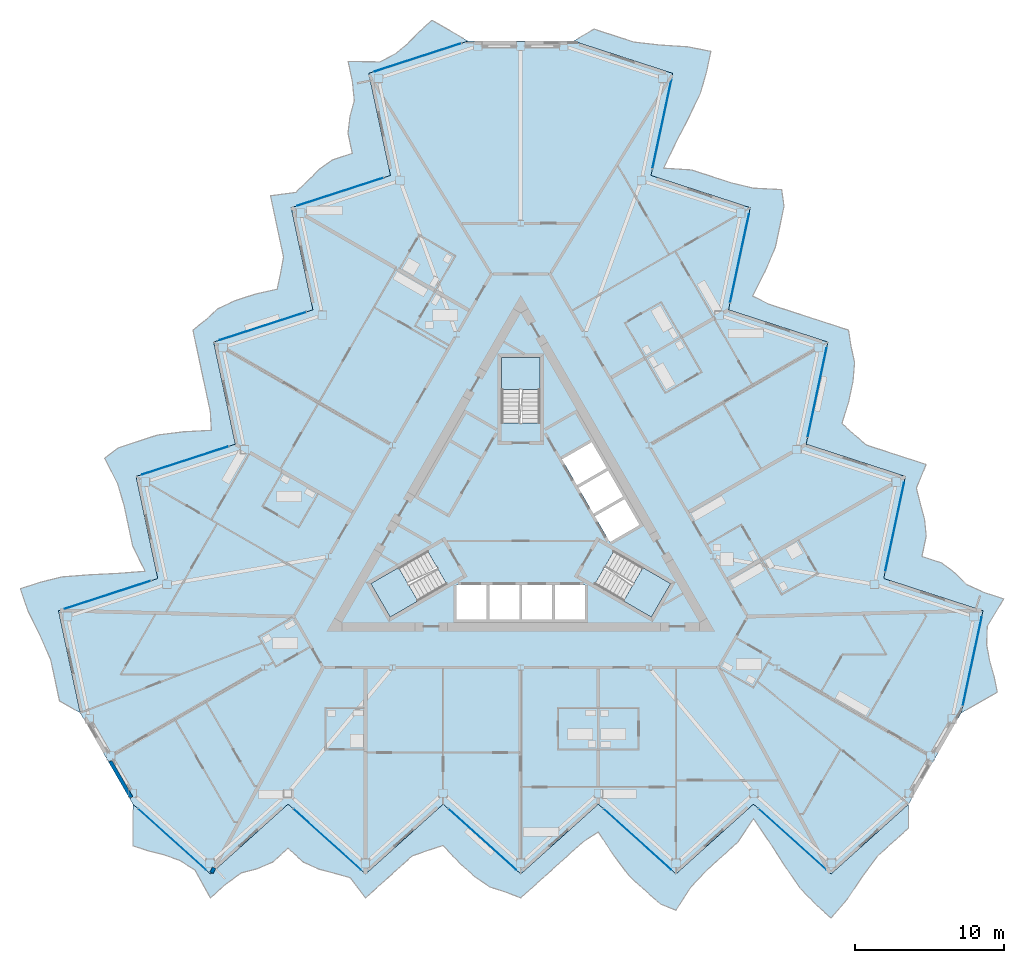
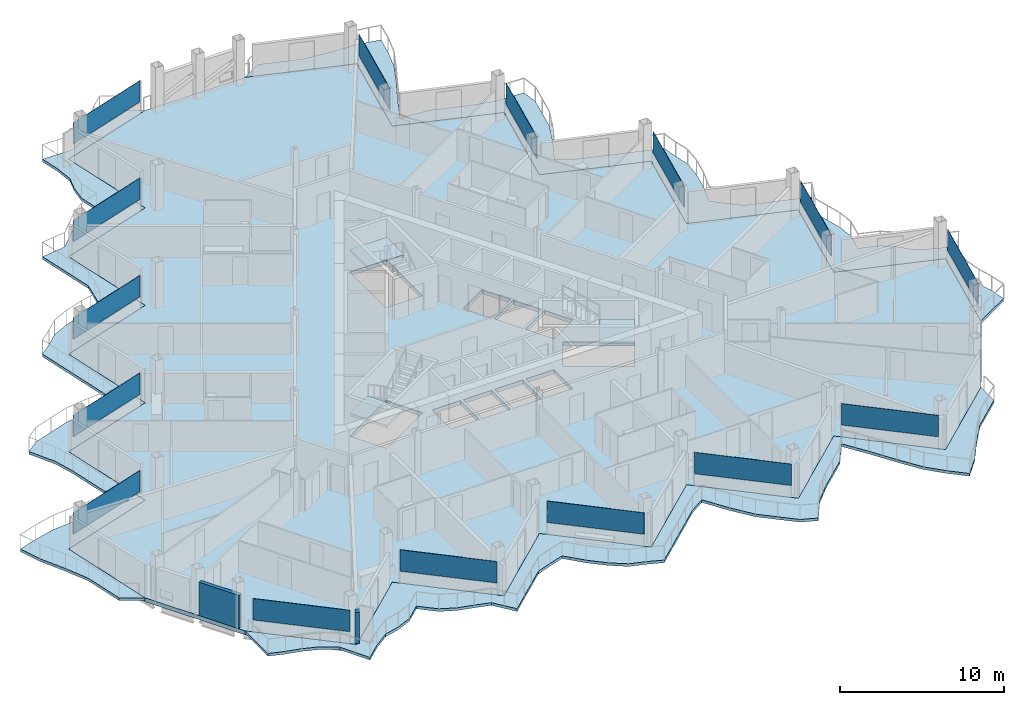
# One storey, part 12 of 28: 15 plates, 7 slabs, 2 walls, 18 elements without a shape of their own.
"""IFC4 building model written with IfcOpenShell, lengths in metres."""

from ifc_helpers import new_model, si_unit, direction, frame, frame_2d, origin, origin_2d, place, context, subcontext, project, spatial, polyline, rectangle, outline, extrude, material, layer, layer_set, type_object, element, aggregate, save


model = new_model("IFC4")

# Units and contexts
model_context = context("Model", 3, precision=1e-05, world=origin(), true_north=direction((0.0, 1.0)))
body_context = subcontext(model_context, "Body", "Model", "MODEL_VIEW")
ifc_project = project(units=[si_unit("LENGTHUNIT", "METRE"), si_unit("AREAUNIT", "SQUARE_METRE"), si_unit("VOLUMEUNIT", "CUBIC_METRE"), si_unit("PLANEANGLEUNIT", "RADIAN"), si_unit("MASSUNIT", "GRAM", prefix="KILO")], contexts=[model_context])

# Site, building, storey
site_placement = place(None, origin())
site = spatial("IfcSite", under=ifc_project, at=site_placement, CompositionType="ELEMENT")
building_placement = place(site_placement, origin())
building = spatial("IfcBuilding", under=site, at=building_placement, Name="Cormorant Prow Tower", CompositionType="ELEMENT")
storey_placement = place(building_placement, frame((0.0, 0.0, 308.60009765625)))
storey = spatial("IfcBuildingStorey", under=building, at=storey_placement, Name="L67", CompositionType="ELEMENT", Elevation=308.60009765625)

# Slabs
ifc_material_1 = material(Name="Concrete C40/50", Category="concrete")
ifc_layer_1 = layer(ifc_material_1, 0.199951171875)
ifc_layer_set_1 = layer_set([ifc_layer_1], Name="Concrete C40/50")
slab_type_1 = type_object("IfcSlabType", Name="Balcony slab 200", PredefinedType="FLOOR", material=ifc_layer_set_1)
slab_1_placement = place(storey_placement, frame((0.0, 0.0, -0.2001953125)))
element("IfcSlab", 1, at=slab_1_placement, inside=storey, type_object=slab_type_1, Name="Balcony slab S L67", PredefinedType="FLOOR", context=body_context, shape_type="SweptSolid", body=[
    extrude(outline(polyline([(-25.95458984375, -19.054931640625), (-25.95458984375, -21.8388671875), (-24.91650390625, -22.182861328125), (-23.87841796875, -22.441162109375), (-22.840087890625, -22.811767578125), (-21.802001953125, -23.46044921875), (-20.763671875, -25.328857421875), (-19.7255859375, -24.39404296875), (-18.6875, -23.651123046875), (-17.649169921875, -23.381591796875), (-16.611083984375, -22.939697265625), (-15.57275390625, -22.0048828125), (-14.53466796875, -22.939697265625), (-13.496337890625, -23.40771484375), (-12.458251953125, -23.68017578125), (-11.420166015625, -23.97607421875), (-10.3818359375, -25.328857421875), (-9.34375, -24.39404296875), (-8.305419921875, -23.459228515625), (-7.267333984375, -22.5244140625), (-6.229248046875, -22.154541015625), (-5.19091796875, -21.81787109375), (-4.15283203125, -22.939697265625), (-3.114501953125, -23.87451171875), (-2.076416015625, -24.596435546875), (-1.0380859375, -24.92431640625), (0.0, -25.328857421875), (1.0380859375, -24.39404296875), (2.076416015625, -23.459228515625), (3.114501953125, -22.5244140625), (4.15283203125, -21.58984375), (5.19091796875, -20.9111328125), (6.229248046875, -22.503662109375), (7.267333984375, -23.87451171875), (8.305419921875, -24.809326171875), (9.34375, -25.73388671875), (10.3818359375, -26.154052734375), (11.420166015625, -24.55078125), (12.458251953125, -23.459228515625), (13.496337890625, -22.5244140625), (14.53466796875, -21.58984375), (15.57275390625, -20.03076171875), (16.611083984375, -21.5400390625), (17.649169921875, -23.15185546875), (18.6875, -24.667724609375), (19.7255859375, -25.744140625), (20.763671875, -26.678955078125), (21.802001953125, -25.482177734375), (22.840087890625, -23.92578125), (23.87841796875, -22.5244140625), (24.91650390625, -21.58984375), (25.95458984375, -20.655029296875), (25.95458984375, -19.054931640625), (24.91650390625, -19.98974609375), (23.87841796875, -20.924560546875), (22.840087890625, -21.859375), (21.802001953125, -22.794189453125), (20.763671875, -23.72900390625), (19.7255859375, -22.794189453125), (18.6875, -21.859375), (17.649169921875, -20.924560546875), (16.611083984375, -19.98974609375), (15.57275390625, -19.054931640625), (14.53466796875, -19.98974609375), (13.496337890625, -20.924560546875), (12.458251953125, -21.859375), (11.420166015625, -22.794189453125), (10.3818359375, -23.72900390625), (9.34375, -22.794189453125), (8.305419921875, -21.859375), (7.267333984375, -20.924560546875), (6.229248046875, -19.98974609375), (5.19091796875, -19.054931640625), (4.15283203125, -19.98974609375), (3.114501953125, -20.924560546875), (2.076416015625, -21.859375), (1.0380859375, -22.794189453125), (0.0, -23.72900390625), (-1.0380859375, -22.794189453125), (-2.076416015625, -21.859375), (-3.114501953125, -20.924560546875), (-4.15283203125, -19.98974609375), (-5.19091796875, -19.054931640625), (-6.229248046875, -19.98974609375), (-7.267333984375, -20.924560546875), (-8.305419921875, -21.859375), (-9.34375, -22.794189453125), (-10.3818359375, -23.72900390625), (-11.420166015625, -22.794189453125), (-12.458251953125, -21.859375), (-13.496337890625, -20.924560546875), (-14.53466796875, -19.98974609375), (-15.57275390625, -19.054931640625), (-16.611083984375, -19.98974609375), (-17.649169921875, -20.924560546875), (-18.6875, -21.859375), (-19.7255859375, -22.794189453125), (-20.763671875, -23.72900390625), (-21.802001953125, -22.794189453125), (-22.840087890625, -21.859375), (-23.87841796875, -20.924560546875), (-24.91650390625, -19.98974609375), (-25.95458984375, -19.054931640625)])), origin(), (0.0, 0.0, 1.0), 0.2001953125),
])
slab_2_placement = place(storey_placement, frame((0.0, 0.0, -0.2001953125)))
element("IfcSlab", 2, at=slab_2_placement, inside=storey, type_object=slab_type_1, Name="Balcony slab ENE L67", PredefinedType="FLOOR", context=body_context, shape_type="SweptSolid", body=[
    extrude(outline(polyline([(29.4794921875, -12.949951171875), (31.890380859375, -11.55810546875), (31.669189453125, -10.48681640625), (31.373779296875, -9.458740234375), (31.175537109375, -8.374267578125), (31.21826171875, -7.15087890625), (32.3173828125, -5.3173828125), (30.98876953125, -4.8857421875), (29.826171875, -4.358154296875), (29.07373046875, -3.59375), (28.171875, -2.915771484375), (26.84326171875, -2.48388671875), (27.1337890625, -1.117431640625), (27.019775390625, 0.015625), (26.73681640625, 1.051025390625), (26.473876953125, 2.097900390625), (27.12646484375, 3.673583984375), (25.7978515625, 4.105224609375), (24.46923828125, 4.536865234375), (23.140380859375, 4.968505859375), (22.30078125, 5.6826171875), (21.490234375, 6.41357421875), (21.94287109375, 7.87353515625), (22.233154296875, 9.239990234375), (22.33935546875, 10.5), (22.10400390625, 11.56298828125), (21.935546875, 12.66455078125), (20.60693359375, 13.09619140625), (19.278076171875, 13.52783203125), (17.949462890625, 13.95947265625), (16.620849609375, 14.391357421875), (15.51416015625, 14.950927734375), (16.374267578125, 16.646484375), (17.042236328125, 18.23095703125), (17.332763671875, 19.597412109375), (17.6142578125, 20.958740234375), (17.459228515625, 22.068115234375), (15.551513671875, 22.16552734375), (14.087158203125, 22.518798828125), (12.758544921875, 22.950439453125), (11.429931640625, 23.38232421875), (9.560546875, 23.501708984375), (10.3486328125, 25.155517578125), (11.2255859375, 26.860595703125), (12.019287109375, 28.517578125), (12.432373046875, 29.954833984375), (12.72265625, 31.3212890625), (11.167236328125, 31.6220703125), (9.30029296875, 31.742919921875), (7.567626953125, 31.94140625), (6.239013671875, 32.373291015625), (4.910400390625, 32.804931640625), (3.524658203125, 32.0048828125), (4.853271484375, 31.5732421875), (6.18212890625, 31.1416015625), (7.5107421875, 30.709716796875), (8.83935546875, 30.278076171875), (10.16796875, 29.846435546875), (9.87744140625, 28.47998046875), (9.5869140625, 27.113525390625), (9.296630859375, 25.746826171875), (9.006103515625, 24.38037109375), (8.715576171875, 23.013916015625), (10.044189453125, 22.582275390625), (11.373046875, 22.150634765625), (12.70166015625, 21.71875), (14.0302734375, 21.287109375), (15.35888671875, 20.85546875), (15.068359375, 19.489013671875), (14.778076171875, 18.12255859375), (14.487548828125, 16.755859375), (14.197021484375, 15.389404296875), (13.906494140625, 14.02294921875), (15.2353515625, 13.59130859375), (16.56396484375, 13.15966796875), (17.892578125, 12.727783203125), (19.22119140625, 12.296142578125), (20.5498046875, 11.864501953125), (20.25927734375, 10.498046875), (19.968994140625, 9.13134765625), (19.678466796875, 7.764892578125), (19.387939453125, 6.3984375), (19.09765625, 5.031982421875), (20.42626953125, 4.600341796875), (21.7548828125, 4.168701171875), (23.08349609375, 3.73681640625), (24.412109375, 3.30517578125), (25.74072265625, 2.87353515625), (25.4501953125, 1.507080078125), (25.159912109375, 0.140380859375), (24.869384765625, -1.22607421875), (24.578857421875, -2.592529296875), (24.28857421875, -3.958984375), (25.6171875, -4.390625), (26.94580078125, -4.822509765625), (28.2744140625, -5.254150390625), (29.60302734375, -5.685791015625), (30.931640625, -6.117431640625), (30.641357421875, -7.48388671875), (30.350830078125, -8.8505859375), (30.060302734375, -10.217041015625), (29.769775390625, -11.58349609375), (29.4794921875, -12.949951171875)])), origin(), (0.0, 0.0, 1.0), 0.2001953125),
])
slab_3_placement = place(storey_placement, frame((0.0, 0.0, -0.2001953125)))
element("IfcSlab", 3, at=slab_3_placement, inside=storey, type_object=slab_type_1, Name="Balcony slab WNW L67", PredefinedType="FLOOR", context=body_context, shape_type="SweptSolid", body=[
    extrude(outline(polyline([(-3.524658203125, 32.0048828125), (-5.935546875, 33.39697265625), (-6.752685546875, 32.669921875), (-7.495361328125, 31.899658203125), (-8.33544921875, 31.18603515625), (-9.416259765625, 30.611328125), (-11.553466796875, 30.646484375), (-11.26318359375, 29.27978515625), (-11.138671875, 28.00927734375), (-11.42431640625, 26.975341796875), (-11.560791015625, 25.85546875), (-11.2705078125, 24.489013671875), (-12.59912109375, 24.05712890625), (-13.5234375, 23.39208984375), (-14.278564453125, 22.62939453125), (-15.0537109375, 21.878173828125), (-16.74462890625, 21.655517578125), (-16.4541015625, 20.288818359375), (-16.16357421875, 18.92236328125), (-15.873046875, 17.555908203125), (-16.07177734375, 16.471923828125), (-16.29931640625, 15.404541015625), (-17.7900390625, 15.066162109375), (-19.11865234375, 14.634521484375), (-20.262939453125, 14.096435546875), (-21.06591796875, 13.361328125), (-21.935546875, 12.66455078125), (-21.64501953125, 11.2978515625), (-21.3544921875, 9.931396484375), (-21.064208984375, 8.56494140625), (-20.773681640625, 7.198486328125), (-20.705078125, 5.9599609375), (-22.603515625, 5.857421875), (-24.3095703125, 5.6435546875), (-25.63818359375, 5.2119140625), (-26.9580078125, 4.775146484375), (-27.841064453125, 4.086181640625), (-26.9716796875, 2.38525390625), (-26.54541015625, 0.9404296875), (-26.255126953125, -0.426025390625), (-25.964599609375, -1.79248046875), (-25.133544921875, -3.47119140625), (-26.959716796875, -3.615478515625), (-28.874755859375, -3.708740234375), (-30.70654296875, -3.849853515625), (-32.157958984375, -4.210693359375), (-33.486572265625, -4.642578125), (-32.96923828125, -6.139892578125), (-32.140380859375, -7.8173828125), (-31.446044921875, -9.4169921875), (-31.155517578125, -10.783447265625), (-30.864990234375, -12.14990234375), (-29.4794921875, -12.949951171875), (-29.769775390625, -11.58349609375), (-30.060302734375, -10.217041015625), (-30.350830078125, -8.8505859375), (-30.641357421875, -7.48388671875), (-30.931640625, -6.117431640625), (-29.60302734375, -5.685791015625), (-28.2744140625, -5.254150390625), (-26.94580078125, -4.822509765625), (-25.6171875, -4.390625), (-24.28857421875, -3.958984375), (-24.578857421875, -2.592529296875), (-24.869384765625, -1.22607421875), (-25.159912109375, 0.140380859375), (-25.4501953125, 1.507080078125), (-25.74072265625, 2.87353515625), (-24.412109375, 3.30517578125), (-23.08349609375, 3.73681640625), (-21.7548828125, 4.168701171875), (-20.42626953125, 4.600341796875), (-19.09765625, 5.031982421875), (-19.387939453125, 6.3984375), (-19.678466796875, 7.764892578125), (-19.968994140625, 9.13134765625), (-20.25927734375, 10.498046875), (-20.5498046875, 11.864501953125), (-19.22119140625, 12.296142578125), (-17.892578125, 12.727783203125), (-16.56396484375, 13.15966796875), (-15.2353515625, 13.59130859375), (-13.906494140625, 14.02294921875), (-14.197021484375, 15.389404296875), (-14.487548828125, 16.755859375), (-14.778076171875, 18.12255859375), (-15.068359375, 19.489013671875), (-15.35888671875, 20.85546875), (-14.0302734375, 21.287109375), (-12.70166015625, 21.71875), (-11.373046875, 22.150634765625), (-10.044189453125, 22.582275390625), (-8.715576171875, 23.013916015625), (-9.006103515625, 24.38037109375), (-9.296630859375, 25.746826171875), (-9.5869140625, 27.113525390625), (-9.87744140625, 28.47998046875), (-10.16796875, 29.846435546875), (-8.83935546875, 30.278076171875), (-7.5107421875, 30.709716796875), (-6.18212890625, 31.1416015625), (-4.853271484375, 31.5732421875), (-3.524658203125, 32.0048828125)])), origin(), (0.0, 0.0, 1.0), 0.2001953125),
])
ifc_material_2 = material(Name="Concrete C40/50", Category="concrete")
ifc_layer_2 = layer(ifc_material_2, 0.300048828125)
ifc_layer_set_2 = layer_set([ifc_layer_2], Name="Concrete C40/50")
slab_type_2 = type_object("IfcSlabType", Name="Post-tensioned flat slab 300", PredefinedType="FLOOR", material=ifc_layer_set_2)
slab_4_placement = place(storey_placement, frame((0.0, 0.0, -0.300048828125)))
element("IfcSlab", 4, at=slab_4_placement, inside=storey, type_object=slab_type_2, Name="Floor slab L67", PredefinedType="FLOOR", context=body_context, shape_type="SweptSolid", body=[
    extrude(outline(polyline([(-8.715576171875, 23.013916015625), (-15.35888671875, 20.85546875), (-13.906494140625, 14.02294921875), (-20.5498046875, 11.864501953125), (-19.09765625, 5.031982421875), (-25.74072265625, 2.87353515625), (-24.28857421875, -3.958984375), (-30.931640625, -6.117431640625), (-29.4794921875, -12.949951171875), (-27.717041015625, -16.00244140625), (-25.95458984375, -19.054931640625), (-20.763671875, -23.72900390625), (-15.57275390625, -19.054931640625), (-10.3818359375, -23.72900390625), (-5.19091796875, -19.054931640625), (0.0, -23.72900390625), (5.19091796875, -19.054931640625), (10.3818359375, -23.72900390625), (15.57275390625, -19.054931640625), (20.763671875, -23.72900390625), (25.95458984375, -19.054931640625), (27.717041015625, -16.00244140625), (29.4794921875, -12.949951171875), (30.931640625, -6.117431640625), (24.28857421875, -3.958984375), (25.74072265625, 2.87353515625), (19.09765625, 5.031982421875), (20.5498046875, 11.864501953125), (13.906494140625, 14.02294921875), (15.35888671875, 20.85546875), (8.715576171875, 23.013916015625), (10.16796875, 29.846435546875), (3.524658203125, 32.0048828125), (0.0, 32.0048828125), (-3.524658203125, 32.0048828125), (-10.16796875, 29.846435546875), (-8.715576171875, 23.013916015625)]), holes=[polyline([(-4.300048828125, -4.39990234375), (-2.300048828125, -4.39990234375), (-2.300048828125, -6.699951171875), (-4.300048828125, -6.699951171875), (-4.300048828125, -4.39990234375)]), polyline([(-0.10009765625, -4.39990234375), (-0.10009765625, -6.699951171875), (-2.10009765625, -6.699951171875), (-2.10009765625, -4.39990234375), (-0.10009765625, -4.39990234375)]), polyline([(2.10009765625, -6.699951171875), (0.10009765625, -6.699951171875), (0.10009765625, -4.39990234375), (2.10009765625, -4.39990234375), (2.10009765625, -6.699951171875)]), polyline([(2.300048828125, -6.699951171875), (2.300048828125, -4.39990234375), (4.300048828125, -4.39990234375), (4.300048828125, -6.699951171875), (2.300048828125, -6.699951171875)]), polyline([(5.96044921875, -1.52392578125), (4.96044921875, 0.2080078125), (6.952392578125, 1.358154296875), (7.952392578125, -0.373779296875), (5.96044921875, -1.52392578125)]), polyline([(3.860595703125, 2.11328125), (5.852294921875, 3.263427734375), (6.852294921875, 1.53125), (4.860595703125, 0.38134765625), (3.860595703125, 2.11328125)]), polyline([(4.75244140625, 5.168701171875), (5.75244140625, 3.4365234375), (3.760498046875, 2.28662109375), (2.760498046875, 4.018798828125), (4.75244140625, 5.168701171875)]), polyline([(-4.947509765625, -4.3505859375), (-8.738037109375, -6.5390625), (-10.031982421875, -4.2978515625), (-6.241455078125, -2.109375), (-4.947509765625, -4.3505859375)]), polyline([(10.031982421875, -4.2978515625), (8.738037109375, -6.5390625), (4.947509765625, -4.3505859375), (6.241455078125, -2.109375), (10.031982421875, -4.2978515625)]), polyline([(1.2939453125, 10.8369140625), (1.2939453125, 6.459716796875), (-1.2939453125, 6.459716796875), (-1.2939453125, 10.8369140625), (1.2939453125, 10.8369140625)])]), origin(), (0.0, 0.0, 1.0), 0.300048828125),
])

# Curtain wall, plate
ifc_material_3 = material(Name="Aluminium 6063-T6", Category="aluminium")
ifc_layer_3 = layer(ifc_material_3, 0.159912109375)
ifc_layer_set_3 = layer_set([ifc_layer_3], Name="Aluminium 6063-T6")
curtain_wall_type = type_object("IfcCurtainWallType", Name="Residential unitised curtain wall 160", PredefinedType="NOTDEFINED", material=ifc_layer_set_3)
curtain_wall_1_placement = place(storey_placement, origin())
curtain_wall_1 = element("IfcCurtainWall", 5, at=curtain_wall_1_placement, inside=storey, type_object=curtain_wall_type, Name="Residential curtain wall S00", PredefinedType="NOTDEFINED")
ifc_material_4 = material(Name="Clear glass", Category="glass")
ifc_layer_4 = layer(ifc_material_4, 0.02392578125)
ifc_layer_set_4 = layer_set([ifc_layer_4], Name="Clear glass")
plate_type = type_object("IfcPlateType", Name="Residential glass panel 24", PredefinedType="CURTAIN_PANEL", material=ifc_layer_set_4)
plate_1_placement = place(storey_placement, frame((-23.340576171875, -21.40869140625, 0.89990234375), z_axis=(0.0, 0.0, 1.0), x_axis=(0.743144844712, -0.669130584997, 0.0)))
plate_1 = element("IfcPlate", 6, at=plate_1_placement, type_object=plate_type, Name="Residential glass panel S00", PredefinedType="CURTAIN_PANEL", context=body_context, shape_type="SweptSolid", body=[
    extrude(rectangle(XDim=6.067138671875, YDim=0.02392578125, at=origin_2d()), origin(), (0.0, 0.0, 1.0), 1.587890625),
])
aggregate(curtain_wall_1, [plate_1])

curtain_wall_2_placement = place(storey_placement, origin())
curtain_wall_2 = element("IfcCurtainWall", 7, at=curtain_wall_2_placement, inside=storey, type_object=curtain_wall_type, Name="Residential curtain wall S02", PredefinedType="NOTDEFINED")
plate_2_placement = place(storey_placement, frame((-12.958740234375, -21.40869140625, 0.89990234375), z_axis=(0.0, 0.0, 1.0), x_axis=(0.743144844712, -0.669130584997, 0.0)))
plate_2 = element("IfcPlate", 8, at=plate_2_placement, type_object=plate_type, Name="Residential glass panel S02", PredefinedType="CURTAIN_PANEL", context=body_context, shape_type="SweptSolid", body=[
    extrude(rectangle(XDim=6.067138671875, YDim=0.02392578125, at=origin_2d()), origin(), (0.0, 0.0, 1.0), 1.587890625),
])
aggregate(curtain_wall_2, [plate_2])

curtain_wall_3_placement = place(storey_placement, origin())
curtain_wall_3 = element("IfcCurtainWall", 9, at=curtain_wall_3_placement, inside=storey, type_object=curtain_wall_type, Name="Residential curtain wall S04", PredefinedType="NOTDEFINED")
plate_3_placement = place(storey_placement, frame((-2.576904296875, -21.40869140625, 0.89990234375), z_axis=(0.0, 0.0, 1.0), x_axis=(0.743144844712, -0.669130584997, 0.0)))
plate_3 = element("IfcPlate", 10, at=plate_3_placement, type_object=plate_type, Name="Residential glass panel S04", PredefinedType="CURTAIN_PANEL", context=body_context, shape_type="SweptSolid", body=[
    extrude(rectangle(XDim=6.067138671875, YDim=0.02392578125, at=origin_2d()), origin(), (0.0, 0.0, 1.0), 1.587890625),
])
aggregate(curtain_wall_3, [plate_3])

curtain_wall_4_placement = place(storey_placement, origin())
curtain_wall_4 = element("IfcCurtainWall", 11, at=curtain_wall_4_placement, inside=storey, type_object=curtain_wall_type, Name="Residential curtain wall S06", PredefinedType="NOTDEFINED")
plate_4_placement = place(storey_placement, frame((7.804931640625, -21.40869140625, 0.89990234375), z_axis=(0.0, 0.0, 1.0), x_axis=(0.743144844712, -0.669130584997, 0.0)))
plate_4 = element("IfcPlate", 12, at=plate_4_placement, type_object=plate_type, Name="Residential glass panel S06", PredefinedType="CURTAIN_PANEL", context=body_context, shape_type="SweptSolid", body=[
    extrude(rectangle(XDim=6.067138671875, YDim=0.02392578125, at=origin_2d()), origin(), (0.0, 0.0, 1.0), 1.587890625),
])
aggregate(curtain_wall_4, [plate_4])

curtain_wall_5_placement = place(storey_placement, origin())
curtain_wall_5 = element("IfcCurtainWall", 13, at=curtain_wall_5_placement, inside=storey, type_object=curtain_wall_type, Name="Residential curtain wall S08", PredefinedType="NOTDEFINED")
plate_5_placement = place(storey_placement, frame((18.186767578125, -21.40869140625, 0.89990234375), z_axis=(0.0, 0.0, 1.0), x_axis=(0.743144844712, -0.669130584997, 0.0)))
plate_5 = element("IfcPlate", 14, at=plate_5_placement, type_object=plate_type, Name="Residential glass panel S08", PredefinedType="CURTAIN_PANEL", context=body_context, shape_type="SweptSolid", body=[
    extrude(rectangle(XDim=6.067138671875, YDim=0.02392578125, at=origin_2d()), origin(), (0.0, 0.0, 1.0), 1.587890625),
])
aggregate(curtain_wall_5, [plate_5])

curtain_wall_6_placement = place(storey_placement, origin())
curtain_wall_6 = element("IfcCurtainWall", 15, at=curtain_wall_6_placement, inside=storey, type_object=curtain_wall_type, Name="Residential curtain wall ENE00", PredefinedType="NOTDEFINED")
plate_6_placement = place(storey_placement, frame((30.210693359375, -9.50927734375, 0.89990234375), z_axis=(0.0, 0.0, 1.0), x_axis=(0.207911828776, 0.97814757141, 0.0)))
plate_6 = element("IfcPlate", 16, at=plate_6_placement, type_object=plate_type, Name="Residential glass panel ENE00", PredefinedType="CURTAIN_PANEL", context=body_context, shape_type="SweptSolid", body=[
    extrude(rectangle(XDim=6.067138671875, YDim=0.02392578125, at=origin_2d()), origin(), (0.0, 0.0, 1.0), 1.587890625),
])
aggregate(curtain_wall_6, [plate_6])

curtain_wall_7_placement = place(storey_placement, origin())
curtain_wall_7 = element("IfcCurtainWall", 17, at=curtain_wall_7_placement, inside=storey, type_object=curtain_wall_type, Name="Residential curtain wall ENE02", PredefinedType="NOTDEFINED")
plate_7_placement = place(storey_placement, frame((25.019775390625, -0.518310546875, 0.89990234375), z_axis=(0.0, 0.0, 1.0), x_axis=(0.207911691808, 0.978147600523, 0.0)))
plate_7 = element("IfcPlate", 18, at=plate_7_placement, type_object=plate_type, Name="Residential glass panel ENE02", PredefinedType="CURTAIN_PANEL", context=body_context, shape_type="SweptSolid", body=[
    extrude(rectangle(XDim=6.067138671875, YDim=0.02392578125, at=origin_2d()), origin(), (0.0, 0.0, 1.0), 1.587890625),
])
aggregate(curtain_wall_7, [plate_7])

curtain_wall_8_placement = place(storey_placement, origin())
curtain_wall_8 = element("IfcCurtainWall", 19, at=curtain_wall_8_placement, inside=storey, type_object=curtain_wall_type, Name="Residential curtain wall ENE04", PredefinedType="NOTDEFINED")
plate_8_placement = place(storey_placement, frame((19.828857421875, 8.47265625, 0.89990234375), z_axis=(0.0, 0.0, 1.0), x_axis=(0.207911691808, 0.978147600523, 0.0)))
plate_8 = element("IfcPlate", 20, at=plate_8_placement, type_object=plate_type, Name="Residential glass panel ENE04", PredefinedType="CURTAIN_PANEL", context=body_context, shape_type="SweptSolid", body=[
    extrude(rectangle(XDim=6.067138671875, YDim=0.02392578125, at=origin_2d()), origin(), (0.0, 0.0, 1.0), 1.587890625),
])
aggregate(curtain_wall_8, [plate_8])

curtain_wall_9_placement = place(storey_placement, origin())
curtain_wall_9 = element("IfcCurtainWall", 21, at=curtain_wall_9_placement, inside=storey, type_object=curtain_wall_type, Name="Residential curtain wall ENE06", PredefinedType="NOTDEFINED")
plate_9_placement = place(storey_placement, frame((14.637939453125, 17.463623046875, 0.89990234375), z_axis=(0.0, 0.0, 1.0), x_axis=(0.207911691808, 0.978147600523, 0.0)))
plate_9 = element("IfcPlate", 22, at=plate_9_placement, type_object=plate_type, Name="Residential glass panel ENE06", PredefinedType="CURTAIN_PANEL", context=body_context, shape_type="SweptSolid", body=[
    extrude(rectangle(XDim=6.067138671875, YDim=0.02392578125, at=origin_2d()), origin(), (0.0, 0.0, 1.0), 1.587890625),
])
aggregate(curtain_wall_9, [plate_9])

curtain_wall_10_placement = place(storey_placement, origin())
curtain_wall_10 = element("IfcCurtainWall", 23, at=curtain_wall_10_placement, inside=storey, type_object=curtain_wall_type, Name="Residential curtain wall ENE08", PredefinedType="NOTDEFINED")
plate_10_placement = place(storey_placement, frame((9.447021484375, 26.45458984375, 0.89990234375), z_axis=(0.0, 0.0, 1.0), x_axis=(0.207911662683, 0.978147606714, 0.0)))
plate_10 = element("IfcPlate", 24, at=plate_10_placement, type_object=plate_type, Name="Residential glass panel ENE08", PredefinedType="CURTAIN_PANEL", context=body_context, shape_type="SweptSolid", body=[
    extrude(rectangle(XDim=6.067138671875, YDim=0.02392578125, at=origin_2d()), origin(), (0.0, 0.0, 1.0), 1.587890625),
])
aggregate(curtain_wall_10, [plate_10])

curtain_wall_11_placement = place(storey_placement, origin())
curtain_wall_11 = element("IfcCurtainWall", 25, at=curtain_wall_11_placement, inside=storey, type_object=curtain_wall_type, Name="Residential curtain wall WNW00", PredefinedType="NOTDEFINED")
plate_11_placement = place(storey_placement, frame((-6.8701171875, 30.91796875, 0.89990234375), z_axis=(0.0, 0.0, 1.0), x_axis=(-0.951056543602, -0.309016910334, 0.0)))
plate_11 = element("IfcPlate", 26, at=plate_11_placement, type_object=plate_type, Name="Residential glass panel WNW00", PredefinedType="CURTAIN_PANEL", context=body_context, shape_type="SweptSolid", body=[
    extrude(rectangle(XDim=6.067138671875, YDim=0.02392578125, at=origin_2d()), origin(), (0.0, 0.0, 1.0), 1.587890625),
])
aggregate(curtain_wall_11, [plate_11])

curtain_wall_12_placement = place(storey_placement, origin())
curtain_wall_12 = element("IfcCurtainWall", 27, at=curtain_wall_12_placement, inside=storey, type_object=curtain_wall_type, Name="Residential curtain wall WNW02", PredefinedType="NOTDEFINED")
plate_12_placement = place(storey_placement, frame((-12.06103515625, 21.927001953125, 0.89990234375), z_axis=(0.0, 0.0, 1.0), x_axis=(-0.951056543602, -0.309016910334, 0.0)))
plate_12 = element("IfcPlate", 28, at=plate_12_placement, type_object=plate_type, Name="Residential glass panel WNW02", PredefinedType="CURTAIN_PANEL", context=body_context, shape_type="SweptSolid", body=[
    extrude(rectangle(XDim=6.067138671875, YDim=0.02392578125, at=origin_2d()), origin(), (0.0, 0.0, 1.0), 1.587890625),
])
aggregate(curtain_wall_12, [plate_12])

curtain_wall_13_placement = place(storey_placement, origin())
curtain_wall_13 = element("IfcCurtainWall", 29, at=curtain_wall_13_placement, inside=storey, type_object=curtain_wall_type, Name="Residential curtain wall WNW04", PredefinedType="NOTDEFINED")
plate_13_placement = place(storey_placement, frame((-17.251953125, 12.93603515625, 0.89990234375), z_axis=(0.0, 0.0, 1.0), x_axis=(-0.951056501528, -0.309017039823, 0.0)))
plate_13 = element("IfcPlate", 30, at=plate_13_placement, type_object=plate_type, Name="Residential glass panel WNW04", PredefinedType="CURTAIN_PANEL", context=body_context, shape_type="SweptSolid", body=[
    extrude(rectangle(XDim=6.067138671875, YDim=0.02392578125, at=origin_2d()), origin(), (0.0, 0.0, 1.0), 1.587890625),
])
aggregate(curtain_wall_13, [plate_13])

curtain_wall_14_placement = place(storey_placement, origin())
curtain_wall_14 = element("IfcCurtainWall", 31, at=curtain_wall_14_placement, inside=storey, type_object=curtain_wall_type, Name="Residential curtain wall WNW06", PredefinedType="NOTDEFINED")
plate_14_placement = place(storey_placement, frame((-22.44287109375, 3.945068359375, 0.89990234375), z_axis=(0.0, 0.0, 1.0), x_axis=(-0.951056501528, -0.309017039823, 0.0)))
plate_14 = element("IfcPlate", 32, at=plate_14_placement, type_object=plate_type, Name="Residential glass panel WNW06", PredefinedType="CURTAIN_PANEL", context=body_context, shape_type="SweptSolid", body=[
    extrude(rectangle(XDim=6.067138671875, YDim=0.02392578125, at=origin_2d()), origin(), (0.0, 0.0, 1.0), 1.587890625),
])
aggregate(curtain_wall_14, [plate_14])

curtain_wall_15_placement = place(storey_placement, origin())
curtain_wall_15 = element("IfcCurtainWall", 33, at=curtain_wall_15_placement, inside=storey, type_object=curtain_wall_type, Name="Residential curtain wall WNW08", PredefinedType="NOTDEFINED")
plate_15_placement = place(storey_placement, frame((-27.6337890625, -5.0458984375, 0.89990234375), z_axis=(0.0, 0.0, 1.0), x_axis=(-0.951056557274, -0.309016868255, 0.0)))
plate_15 = element("IfcPlate", 34, at=plate_15_placement, type_object=plate_type, Name="Residential glass panel WNW08", PredefinedType="CURTAIN_PANEL", context=body_context, shape_type="SweptSolid", body=[
    extrude(rectangle(XDim=6.067138671875, YDim=0.02392578125, at=origin_2d()), origin(), (0.0, 0.0, 1.0), 1.587890625),
])
aggregate(curtain_wall_15, [plate_15])

# Stair, slab
ifc_material_5 = material(Name="Exit stair 18 risers")
stair_type = type_object("IfcStairType", Name="Exit stair 18 risers", PredefinedType="HALF_TURN_STAIR", material=ifc_material_5)
stair_1_placement = place(storey_placement, origin())
stair_1 = element("IfcStair", 35, at=stair_1_placement, inside=storey, type_object=stair_type, Name="L67 Exit stair ST1", PredefinedType="HALF_TURN_STAIR")
ifc_material_6 = material(Name="Concrete 5000 psi", Category="concrete")
ifc_layer_5 = layer(ifc_material_6, 0.199951171875)
ifc_layer_set_5 = layer_set([ifc_layer_5], Name="Concrete 5000 psi")
slab_type_3 = type_object("IfcSlabType", Name="Stair landing 200", PredefinedType="LANDING", material=ifc_layer_set_5)
slab_5_placement = place(storey_placement, frame((0.0, 0.0, 1.5)))
slab_5 = element("IfcSlab", 36, at=slab_5_placement, type_object=slab_type_3, Name="ST1 landing 1", PredefinedType="LANDING", context=body_context, shape_type="SweptSolid", body=[
    extrude(outline(polyline([(-8.17431640625, -3.225341796875), (-10.031982421875, -4.2978515625), (-8.738037109375, -6.5390625), (-6.88037109375, -5.466552734375), (-8.17431640625, -3.225341796875)])), origin(), (0.0, 0.0, 1.0), 0.199951171875),
])
aggregate(stair_1, [slab_5])

stair_2_placement = place(storey_placement, origin())
stair_2 = element("IfcStair", 37, at=stair_2_placement, inside=storey, type_object=stair_type, Name="L67 Exit stair ST2", PredefinedType="HALF_TURN_STAIR")
slab_6_placement = place(storey_placement, frame((0.0, 0.0, 1.5)))
slab_6 = element("IfcSlab", 38, at=slab_6_placement, type_object=slab_type_3, Name="ST2 landing 1", PredefinedType="LANDING", context=body_context, shape_type="SweptSolid", body=[
    extrude(outline(polyline([(6.88037109375, -5.466552734375), (8.738037109375, -6.5390625), (10.031982421875, -4.2978515625), (8.17431640625, -3.225341796875), (6.88037109375, -5.466552734375)])), origin(), (0.0, 0.0, 1.0), 0.199951171875),
])
aggregate(stair_2, [slab_6])

stair_3_placement = place(storey_placement, origin())
stair_3 = element("IfcStair", 39, at=stair_3_placement, inside=storey, type_object=stair_type, Name="L67 Exit stair ST3", PredefinedType="HALF_TURN_STAIR")
slab_7_placement = place(storey_placement, frame((0.0, 0.0, 1.5)))
slab_7 = element("IfcSlab", 40, at=slab_7_placement, type_object=slab_type_3, Name="ST3 landing 1", PredefinedType="LANDING", context=body_context, shape_type="SweptSolid", body=[
    extrude(outline(polyline([(1.2939453125, 8.69189453125), (1.2939453125, 10.8369140625), (-1.2939453125, 10.8369140625), (-1.2939453125, 8.69189453125), (1.2939453125, 8.69189453125)])), origin(), (0.0, 0.0, 1.0), 0.199951171875),
])
aggregate(stair_3, [slab_7])

# Walls
ifc_material_7 = material(Name="Acoustic gypsum party wall")
ifc_layer_6 = layer(ifc_material_7, 0.25)
ifc_layer_set_6 = layer_set([ifc_layer_6], Name="Acoustic gypsum party wall")
wall_type_1 = type_object("IfcWallType", Name="Suite party wall 250", PredefinedType="PARTITIONING", material=ifc_layer_set_6)
wall_1_placement = place(storey_placement, frame((-20.693115234375, -23.648681640625, 0.0), z_axis=(0.0, 0.0, 1.0), x_axis=(0.477077538769, 0.878861207474, 0.0)))
element("IfcWall", 41, at=wall_1_placement, inside=storey, type_object=wall_type_1, Name="Suite party wall", PredefinedType="PARTITIONING", context=body_context, shape_type="SweptSolid", body=[
    extrude(rectangle(XDim=0.376220703125, YDim=0.25, at=frame_2d((0.18798828125, 0.0))), origin(), (0.0, 0.0, 1.0), 2.330078125),
])
ifc_material_8 = material(Name="Terracotta", Category="masonry")
ifc_layer_7 = layer(ifc_material_8, 0.25)
ifc_layer_set_7 = layer_set([ifc_layer_7], Name="Terracotta")
wall_type_2 = type_object("IfcWallType", Name="Terracotta bay wall 250", PredefinedType="SOLIDWALL", material=ifc_layer_set_7)
wall_2_placement = place(storey_placement, frame((-27.465576171875, -16.18798828125, 0.0), z_axis=(0.0, 0.0, 1.0), x_axis=(0.499968627931, -0.866043515699, 0.0)))
element("IfcWall", 42, at=wall_2_placement, inside=storey, type_object=wall_type_2, Name="Terracotta bay wall WSW01", PredefinedType="SOLIDWALL", context=body_context, shape_type="SweptSolid", body=[
    extrude(rectangle(XDim=2.804443359375, YDim=0.25, at=frame_2d((1.40234375, 0.0))), origin(), (0.0, 0.0, 1.0), 2.48779296875),
])

save(model, "model.ifc")
